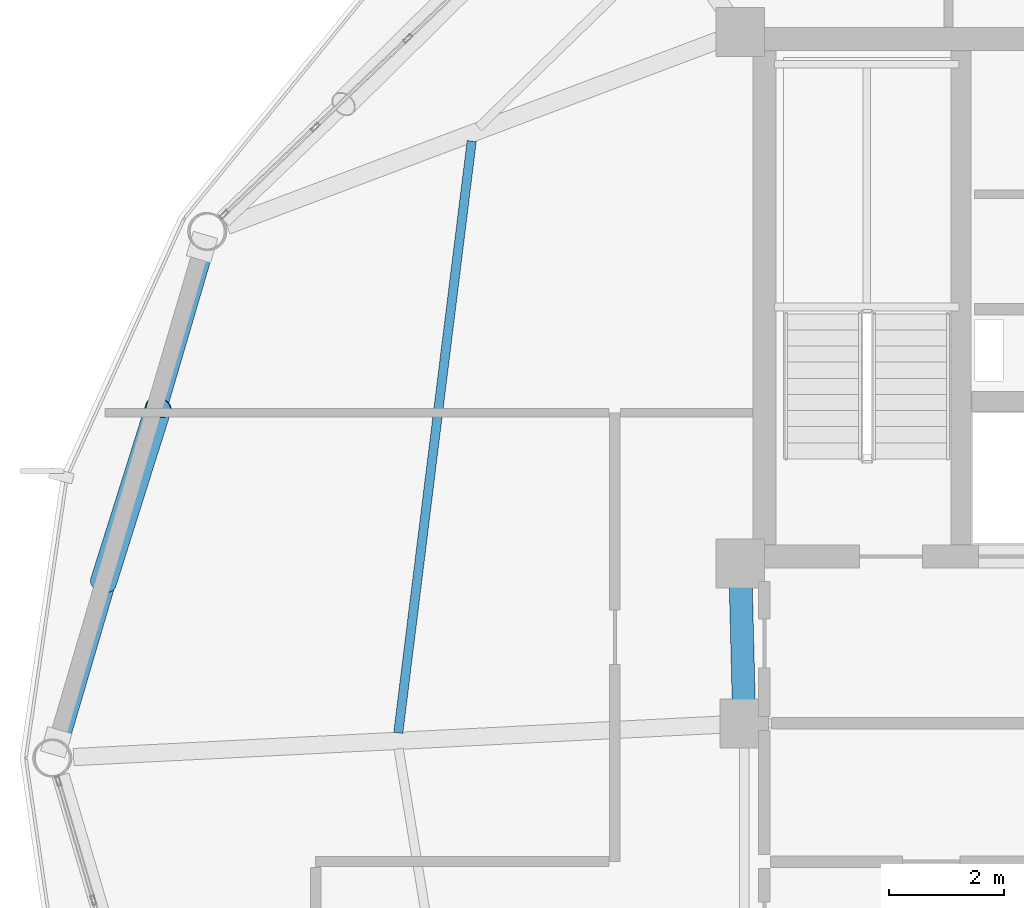
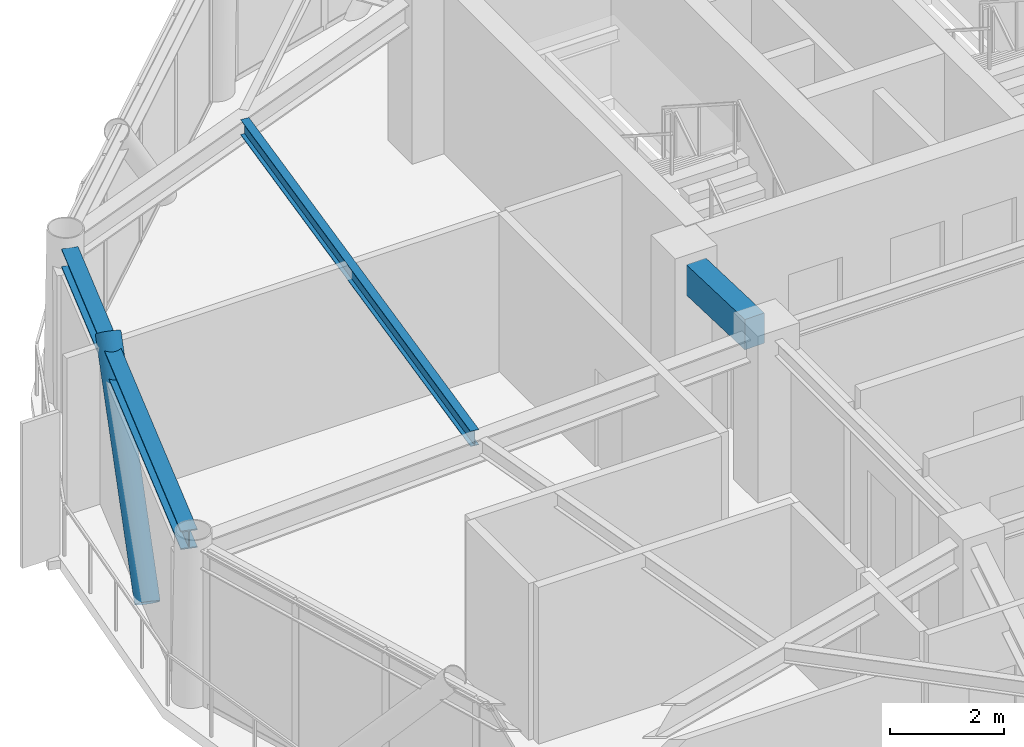
# One storey, part 12 of 28: 3 beams, 1 member.
"""IFC4 building model written with IfcOpenShell, lengths in metres."""

from ifc_helpers import new_model, si_unit, direction, frame, origin, origin_2d, place, context, subcontext, project, spatial, rectangle, hollow_circle, i_section, extrude, material, material_profile, profile_set, type_object, element, save


model = new_model("IFC4")

# Units and contexts
model_context = context("Model", 3, precision=1e-05, world=origin(), true_north=direction((0.0, 1.0)))
body_context = subcontext(model_context, "Body", "Model", "MODEL_VIEW")
ifc_project = project(units=[si_unit("LENGTHUNIT", "METRE"), si_unit("AREAUNIT", "SQUARE_METRE"), si_unit("VOLUMEUNIT", "CUBIC_METRE"), si_unit("PLANEANGLEUNIT", "RADIAN"), si_unit("MASSUNIT", "GRAM", prefix="KILO")], contexts=[model_context])

# Site, building, storey
site_placement = place(None, origin())
site = spatial("IfcSite", under=ifc_project, at=site_placement, CompositionType="ELEMENT")
building_placement = place(site_placement, origin())
building = spatial("IfcBuilding", under=site, at=building_placement, Name="Varnakorn Sky Granary", CompositionType="ELEMENT")
storey_placement = place(building_placement, frame((0.0, 0.0, 207.60009765625)))
storey = spatial("IfcBuildingStorey", under=building, at=storey_placement, Name="L52", CompositionType="ELEMENT", Elevation=207.60009765625)

# Beams
ifc_material_1 = material(Name="Concrete C50/60", Category="concrete")
ifc_material_profile_1 = material_profile(ifc_material_1, rectangle(XDim=0.39990234375, YDim=0.64990234375, at=origin_2d()), Name="RC 400x650")
ifc_profile_set_1 = profile_set([ifc_material_profile_1], Name="Concrete C50/60")
beam_type_1 = type_object("IfcBeamType", Name="BM-LIN-650", PredefinedType="LINTEL", material=ifc_profile_set_1)
beam_1_placement = place(storey_placement, frame((-2.409912109375, 2.97509765625, 3.034912109375), z_axis=(0.025270737467, -0.99968064392, 0.0), x_axis=(0.99968064392, 0.025270737467, 0.0)))
element("IfcBeam", 1, at=beam_1_placement, inside=storey, type_object=beam_type_1, Name="Core Spine Framing Beam 1 L52", PredefinedType="LINTEL", context=body_context, shape_type="SweptSolid", body=[
    extrude(rectangle(XDim=0.39990234375, YDim=0.64990234375, at=origin_2d()), origin(), (0.0, 0.0, 1.0), 1.970947265625),
])
ifc_material_2 = material(Name="Steel S355JR", Category="steel")
ifc_material_profile_2 = material_profile(ifc_material_2, i_section(OverallWidth=0.159912109375, OverallDepth=0.330078125, WebThickness=0.007568359375, FlangeThickness=0.011474609375, at=origin_2d()), Name="IPE 330")
ifc_profile_set_2 = profile_set([ifc_material_profile_2], Name="Steel S355JR")
beam_type_2 = type_object("IfcBeamType", Name="BM-SEC-Z4", PredefinedType="BEAM", material=ifc_profile_set_2)
beam_2_placement = place(storey_placement, frame((-7.087890625, 10.72412109375, 3.19482421875), z_axis=(-0.123127405292, -0.992390871616, 0.0), x_axis=(0.992390871616, -0.123127405292, 0.0)))
element("IfcBeam", 2, at=beam_2_placement, inside=storey, type_object=beam_type_2, Name="Secondary Floor Chord Beam MSB06 L52", PredefinedType="BEAM", context=body_context, shape_type="SweptSolid", body=[
    extrude(i_section(OverallWidth=0.159912109375, OverallDepth=0.330078125, WebThickness=0.007568359375, FlangeThickness=0.011474609375, at=origin_2d()), origin(), (0.0, 0.0, 1.0), 10.3662109375),
])
ifc_material_profile_3 = material_profile(ifc_material_2, i_section(OverallWidth=0.300048828125, OverallDepth=0.39990234375, WebThickness=0.013427734375, FlangeThickness=0.02392578125, at=origin_2d()), Name="HE 400 B")
ifc_profile_set_3 = profile_set([ifc_material_profile_3], Name="Steel S355JR")
beam_type_3 = type_object("IfcBeamType", Name="BM-SPD-Z4", PredefinedType="SPANDREL", material=ifc_profile_set_3)
beam_3_placement = place(storey_placement, frame((-11.726318359375, 8.835693359375, 3.159912109375), z_axis=(-0.281956777756, -0.959427107954, 0.0), x_axis=(0.959427107954, -0.281956777756, 0.0)))
element("IfcBeam", 3, at=beam_3_placement, inside=storey, type_object=beam_type_3, Name="Perimeter Spandrel Ring Beam RB06 L52", PredefinedType="SPANDREL", context=body_context, shape_type="SweptSolid", body=[
    extrude(i_section(OverallWidth=0.300048828125, OverallDepth=0.39990234375, WebThickness=0.013427734375, FlangeThickness=0.02392578125, at=origin_2d()), origin(), (0.0, 0.0, 1.0), 8.894287109375),
])

# Member
ifc_material_3 = material(Name="Steel S460M", Category="steel")
ifc_material_profile_4 = material_profile(ifc_material_3, hollow_circle(Radius=0.228515625, WallThickness=0.01611328125, at=origin_2d()), Name="CHS 457x16")
ifc_profile_set_4 = profile_set([ifc_material_profile_4], Name="Steel S460M")
member_type = type_object("IfcMemberType", Name="MB-DIAG-T3", PredefinedType="BRACE", material=ifc_profile_set_4)
member_placement = place(storey_placement, frame((-13.49169921875, 3.0517578125, -0.130126953125), z_axis=(0.198806205856, 0.630278432159, 0.75048330459), x_axis=(-0.953682151028, 0.300816147855, 0.0)))
element("IfcMember", 4, at=member_placement, inside=storey, type_object=member_type, Name="Perimeter CHS Diagrid Brace DG06 L52", PredefinedType="BRACE", context=body_context, shape_type="SweptSolid", body=[
    extrude(hollow_circle(Radius=0.228515625, WallThickness=0.01611328125, at=origin_2d()), origin(), (0.0, 0.0, 1.0), 4.82373046875),
])

save(model, "model.ifc")
